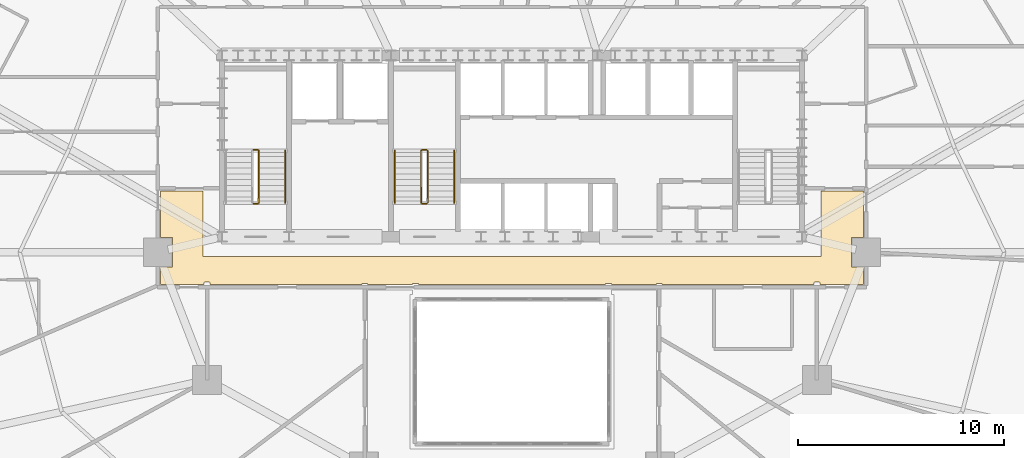
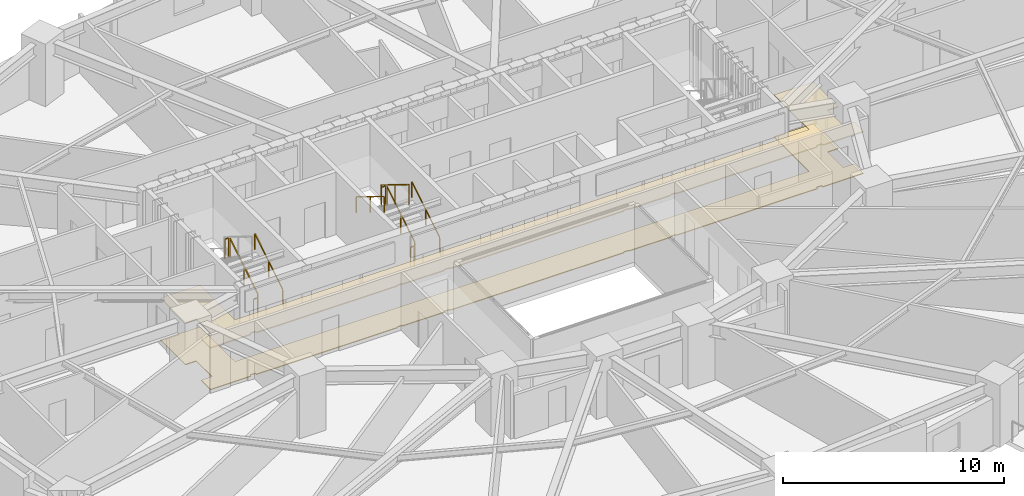
# One storey, part 16 of 18: 10 railings, 2 coverings.
"""IFC4 building model written with IfcOpenShell, lengths in metres."""

from ifc_helpers import new_model, si_unit, direction, frame, origin, origin_2d, place, context, subcontext, project, spatial, polyline, rectangle, outline, extrude, material, layer, layer_set, type_object, element, save


model = new_model("IFC4")

# Units and contexts
model_context = context("Model", 3, precision=1e-05, world=origin(), true_north=direction((0.0, 1.0)))
body_context = subcontext(model_context, "Body", "Model", "MODEL_VIEW")
ifc_project = project(units=[si_unit("LENGTHUNIT", "METRE"), si_unit("AREAUNIT", "SQUARE_METRE"), si_unit("VOLUMEUNIT", "CUBIC_METRE"), si_unit("PLANEANGLEUNIT", "RADIAN"), si_unit("MASSUNIT", "GRAM", prefix="KILO")], contexts=[model_context])

# Site, building, storey
site_placement = place(None, origin())
site = spatial("IfcSite", under=ifc_project, at=site_placement, CompositionType="ELEMENT")
building_placement = place(site_placement, origin())
building = spatial("IfcBuilding", under=site, at=building_placement, Name="Haldorwick Loom Tower", CompositionType="ELEMENT")
storey_placement = place(building_placement, frame((0.0, 0.0, 41.25)))
storey = spatial("IfcBuildingStorey", under=building, at=storey_placement, Name="L10", CompositionType="ELEMENT", Elevation=41.25)

# Coverings
ifc_material_1 = material(Name="Mineral Fibre Acoustic Ceiling Tile")
ifc_layer_1 = layer(ifc_material_1, 0.054931640625, Name="Mineral Fibre Acoustic Ceiling Tile")
ifc_layer_set_1 = layer_set([ifc_layer_1], Name="Mineral Fibre Acoustic Ceiling Tile")
covering_type_1 = type_object("IfcCoveringType", Name="ARC-COV-CEIL2", PredefinedType="CEILING", material=ifc_layer_set_1)
covering_1_placement = place(storey_placement, frame((0.0, 0.0, 2.302001953125)))
element("IfcCovering", 1, at=covering_1_placement, inside=storey, type_object=covering_type_1, Name="L10 Acoustic Suspended Ceiling 2", PredefinedType="CEILING", context=body_context, shape_type="SweptSolid", body=[
    extrude(outline(polyline([(51.0, 28.9599609375), (51.0, 25.800048828125), (21.0, 25.800048828125), (21.0, 28.9599609375), (18.93994140625, 28.9599609375), (18.93994140625, 26.7080078125), (19.508056640625, 26.7080078125), (19.508056640625, 25.2919921875), (18.93994140625, 25.2919921875), (18.93994140625, 24.43994140625), (21.06005859375, 24.43994140625), (21.06005859375, 24.52001953125), (21.06005859375, 24.52197265625), (21.060302734375, 24.52392578125), (21.060791015625, 24.52587890625), (21.0615234375, 24.527587890625), (21.0625, 24.529296875), (21.0634765625, 24.531005859375), (21.064453125, 24.53271484375), (21.06591796875, 24.5341796875), (21.0673828125, 24.535400390625), (21.06884765625, 24.53662109375), (21.070556640625, 24.53759765625), (21.072265625, 24.53857421875), (21.07421875, 24.5390625), (21.076171875, 24.53955078125), (21.077880859375, 24.539794921875), (21.080078125, 24.5400390625), (21.320068359375, 24.5400390625), (21.322021484375, 24.539794921875), (21.323974609375, 24.53955078125), (21.32568359375, 24.5390625), (21.32763671875, 24.53857421875), (21.329345703125, 24.53759765625), (21.3310546875, 24.53662109375), (21.332763671875, 24.535400390625), (21.333984375, 24.5341796875), (21.33544921875, 24.53271484375), (21.336669921875, 24.531005859375), (21.337646484375, 24.529296875), (21.33837890625, 24.527587890625), (21.339111328125, 24.52587890625), (21.339599609375, 24.52392578125), (21.33984375, 24.52197265625), (21.340087890625, 24.52001953125), (21.340087890625, 24.43994140625), (28.7099609375, 24.43994140625), (28.7099609375, 24.469970703125), (28.710205078125, 24.471923828125), (28.71044921875, 24.473876953125), (28.7109375, 24.475830078125), (28.71142578125, 24.477783203125), (28.71240234375, 24.4794921875), (28.71337890625, 24.481201171875), (28.714599609375, 24.482666015625), (28.7158203125, 24.484130859375), (28.71728515625, 24.485595703125), (28.718994140625, 24.486572265625), (28.720703125, 24.487548828125), (28.722412109375, 24.488525390625), (28.72412109375, 24.489013671875), (28.72607421875, 24.489501953125), (28.72802734375, 24.489990234375), (28.72998046875, 24.489990234375), (28.969970703125, 24.489990234375), (28.971923828125, 24.489990234375), (28.973876953125, 24.489501953125), (28.975830078125, 24.489013671875), (28.977783203125, 24.488525390625), (28.9794921875, 24.487548828125), (28.981201171875, 24.486572265625), (28.982666015625, 24.485595703125), (28.984130859375, 24.484130859375), (28.985595703125, 24.482666015625), (28.986572265625, 24.481201171875), (28.987548828125, 24.4794921875), (28.988525390625, 24.477783203125), (28.989013671875, 24.475830078125), (28.989501953125, 24.473876953125), (28.989990234375, 24.471923828125), (28.989990234375, 24.469970703125), (28.989990234375, 24.43994140625), (31.179931640625, 24.43994140625), (31.179931640625, 24.469970703125), (31.18017578125, 24.471923828125), (31.180419921875, 24.473876953125), (31.180908203125, 24.475830078125), (31.181396484375, 24.477783203125), (31.182373046875, 24.4794921875), (31.183349609375, 24.481201171875), (31.1845703125, 24.482666015625), (31.185791015625, 24.484130859375), (31.187255859375, 24.485595703125), (31.18896484375, 24.486572265625), (31.190673828125, 24.487548828125), (31.1923828125, 24.488525390625), (31.194091796875, 24.489013671875), (31.196044921875, 24.489501953125), (31.197998046875, 24.489990234375), (31.199951171875, 24.489990234375), (31.43994140625, 24.489990234375), (31.44189453125, 24.489990234375), (31.44384765625, 24.489501953125), (31.44580078125, 24.489013671875), (31.44775390625, 24.488525390625), (31.449462890625, 24.487548828125), (31.451171875, 24.486572265625), (31.45263671875, 24.485595703125), (31.4541015625, 24.484130859375), (31.45556640625, 24.482666015625), (31.45654296875, 24.481201171875), (31.45751953125, 24.4794921875), (31.45849609375, 24.477783203125), (31.458984375, 24.475830078125), (31.459716796875, 24.473876953125), (31.4599609375, 24.471923828125), (31.4599609375, 24.469970703125), (31.4599609375, 24.43994140625), (40.5400390625, 24.43994140625), (40.5400390625, 24.469970703125), (40.5400390625, 24.471923828125), (40.540283203125, 24.473876953125), (40.541015625, 24.475830078125), (40.54150390625, 24.477783203125), (40.54248046875, 24.4794921875), (40.54345703125, 24.481201171875), (40.54443359375, 24.482666015625), (40.5458984375, 24.484130859375), (40.54736328125, 24.485595703125), (40.548828125, 24.486572265625), (40.550537109375, 24.487548828125), (40.55224609375, 24.488525390625), (40.55419921875, 24.489013671875), (40.55615234375, 24.489501953125), (40.55810546875, 24.489990234375), (40.56005859375, 24.489990234375), (40.800048828125, 24.489990234375), (40.802001953125, 24.489990234375), (40.803955078125, 24.489501953125), (40.805908203125, 24.489013671875), (40.8076171875, 24.488525390625), (40.809326171875, 24.487548828125), (40.81103515625, 24.486572265625), (40.812744140625, 24.485595703125), (40.814208984375, 24.484130859375), (40.8154296875, 24.482666015625), (40.816650390625, 24.481201171875), (40.817626953125, 24.4794921875), (40.818603515625, 24.477783203125), (40.819091796875, 24.475830078125), (40.819580078125, 24.473876953125), (40.81982421875, 24.471923828125), (40.820068359375, 24.469970703125), (40.820068359375, 24.43994140625), (43.010009765625, 24.43994140625), (43.010009765625, 24.469970703125), (43.010009765625, 24.471923828125), (43.010498046875, 24.473876953125), (43.010986328125, 24.475830078125), (43.011474609375, 24.477783203125), (43.012451171875, 24.4794921875), (43.013427734375, 24.481201171875), (43.014404296875, 24.482666015625), (43.015869140625, 24.484130859375), (43.017333984375, 24.485595703125), (43.018798828125, 24.486572265625), (43.0205078125, 24.487548828125), (43.022216796875, 24.488525390625), (43.024169921875, 24.489013671875), (43.026123046875, 24.489501953125), (43.028076171875, 24.489990234375), (43.030029296875, 24.489990234375), (43.27001953125, 24.489990234375), (43.27197265625, 24.489990234375), (43.27392578125, 24.489501953125), (43.27587890625, 24.489013671875), (43.277587890625, 24.488525390625), (43.279296875, 24.487548828125), (43.281005859375, 24.486572265625), (43.28271484375, 24.485595703125), (43.2841796875, 24.484130859375), (43.285400390625, 24.482666015625), (43.28662109375, 24.481201171875), (43.28759765625, 24.4794921875), (43.28857421875, 24.477783203125), (43.2890625, 24.475830078125), (43.28955078125, 24.473876953125), (43.289794921875, 24.471923828125), (43.2900390625, 24.469970703125), (43.2900390625, 24.43994140625), (50.659912109375, 24.43994140625), (50.659912109375, 24.52001953125), (50.66015625, 24.52197265625), (50.660400390625, 24.52392578125), (50.660888671875, 24.52587890625), (50.66162109375, 24.527587890625), (50.662353515625, 24.529296875), (50.663330078125, 24.531005859375), (50.66455078125, 24.53271484375), (50.666015625, 24.5341796875), (50.667236328125, 24.535400390625), (50.6689453125, 24.53662109375), (50.670654296875, 24.53759765625), (50.67236328125, 24.53857421875), (50.67431640625, 24.5390625), (50.676025390625, 24.53955078125), (50.677978515625, 24.539794921875), (50.679931640625, 24.5400390625), (50.919921875, 24.5400390625), (50.922119140625, 24.539794921875), (50.923828125, 24.53955078125), (50.92578125, 24.5390625), (50.927734375, 24.53857421875), (50.929443359375, 24.53759765625), (50.93115234375, 24.53662109375), (50.9326171875, 24.535400390625), (50.93408203125, 24.5341796875), (50.935546875, 24.53271484375), (50.9365234375, 24.531005859375), (50.9375, 24.529296875), (50.9384765625, 24.527587890625), (50.939208984375, 24.52587890625), (50.939697265625, 24.52392578125), (50.93994140625, 24.52197265625), (50.93994140625, 24.52001953125), (50.93994140625, 24.43994140625), (53.06005859375, 24.43994140625), (53.06005859375, 25.2919921875), (52.491943359375, 25.2919921875), (52.491943359375, 26.7080078125), (53.06005859375, 26.7080078125), (53.06005859375, 28.9599609375), (51.0, 28.9599609375)])), origin(), (0.0, 0.0, 1.0), 0.054931640625),
])
ifc_material_2 = material(Name="Polished Aggregate Terrazzo Finish")
ifc_layer_2 = layer(ifc_material_2, 0.044921875, Name="Polished Aggregate Terrazzo Finish")
ifc_layer_set_2 = layer_set([ifc_layer_2], Name="Polished Aggregate Terrazzo Finish")
covering_type_2 = type_object("IfcCoveringType", Name="ARC-COV-FLOOR2", PredefinedType="FLOORING", material=ifc_layer_set_2)
covering_2_placement = place(storey_placement, origin())
element("IfcCovering", 2, at=covering_2_placement, inside=storey, type_object=covering_type_2, Name="L10 Floor Finish 2", PredefinedType="FLOORING", context=body_context, shape_type="SweptSolid", body=[
    extrude(outline(polyline([(51.0, 28.9599609375), (51.0, 25.800048828125), (21.0, 25.800048828125), (21.0, 28.9599609375), (18.93994140625, 28.9599609375), (18.93994140625, 26.7080078125), (19.508056640625, 26.7080078125), (19.508056640625, 25.2919921875), (18.93994140625, 25.2919921875), (18.93994140625, 24.43994140625), (21.06005859375, 24.43994140625), (21.06005859375, 24.52001953125), (21.06005859375, 24.52197265625), (21.060302734375, 24.52392578125), (21.060791015625, 24.52587890625), (21.0615234375, 24.527587890625), (21.0625, 24.529296875), (21.0634765625, 24.531005859375), (21.064453125, 24.53271484375), (21.06591796875, 24.5341796875), (21.0673828125, 24.535400390625), (21.06884765625, 24.53662109375), (21.070556640625, 24.53759765625), (21.072265625, 24.53857421875), (21.07421875, 24.5390625), (21.076171875, 24.53955078125), (21.077880859375, 24.539794921875), (21.080078125, 24.5400390625), (21.320068359375, 24.5400390625), (21.322021484375, 24.539794921875), (21.323974609375, 24.53955078125), (21.32568359375, 24.5390625), (21.32763671875, 24.53857421875), (21.329345703125, 24.53759765625), (21.3310546875, 24.53662109375), (21.332763671875, 24.535400390625), (21.333984375, 24.5341796875), (21.33544921875, 24.53271484375), (21.336669921875, 24.531005859375), (21.337646484375, 24.529296875), (21.33837890625, 24.527587890625), (21.339111328125, 24.52587890625), (21.339599609375, 24.52392578125), (21.33984375, 24.52197265625), (21.340087890625, 24.52001953125), (21.340087890625, 24.43994140625), (28.7099609375, 24.43994140625), (28.7099609375, 24.469970703125), (28.710205078125, 24.471923828125), (28.71044921875, 24.473876953125), (28.7109375, 24.475830078125), (28.71142578125, 24.477783203125), (28.71240234375, 24.4794921875), (28.71337890625, 24.481201171875), (28.714599609375, 24.482666015625), (28.7158203125, 24.484130859375), (28.71728515625, 24.485595703125), (28.718994140625, 24.486572265625), (28.720703125, 24.487548828125), (28.722412109375, 24.488525390625), (28.72412109375, 24.489013671875), (28.72607421875, 24.489501953125), (28.72802734375, 24.489990234375), (28.72998046875, 24.489990234375), (28.969970703125, 24.489990234375), (28.971923828125, 24.489990234375), (28.973876953125, 24.489501953125), (28.975830078125, 24.489013671875), (28.977783203125, 24.488525390625), (28.9794921875, 24.487548828125), (28.981201171875, 24.486572265625), (28.982666015625, 24.485595703125), (28.984130859375, 24.484130859375), (28.985595703125, 24.482666015625), (28.986572265625, 24.481201171875), (28.987548828125, 24.4794921875), (28.988525390625, 24.477783203125), (28.989013671875, 24.475830078125), (28.989501953125, 24.473876953125), (28.989990234375, 24.471923828125), (28.989990234375, 24.469970703125), (28.989990234375, 24.43994140625), (31.179931640625, 24.43994140625), (31.179931640625, 24.469970703125), (31.18017578125, 24.471923828125), (31.180419921875, 24.473876953125), (31.180908203125, 24.475830078125), (31.181396484375, 24.477783203125), (31.182373046875, 24.4794921875), (31.183349609375, 24.481201171875), (31.1845703125, 24.482666015625), (31.185791015625, 24.484130859375), (31.187255859375, 24.485595703125), (31.18896484375, 24.486572265625), (31.190673828125, 24.487548828125), (31.1923828125, 24.488525390625), (31.194091796875, 24.489013671875), (31.196044921875, 24.489501953125), (31.197998046875, 24.489990234375), (31.199951171875, 24.489990234375), (31.43994140625, 24.489990234375), (31.44189453125, 24.489990234375), (31.44384765625, 24.489501953125), (31.44580078125, 24.489013671875), (31.44775390625, 24.488525390625), (31.449462890625, 24.487548828125), (31.451171875, 24.486572265625), (31.45263671875, 24.485595703125), (31.4541015625, 24.484130859375), (31.45556640625, 24.482666015625), (31.45654296875, 24.481201171875), (31.45751953125, 24.4794921875), (31.45849609375, 24.477783203125), (31.458984375, 24.475830078125), (31.459716796875, 24.473876953125), (31.4599609375, 24.471923828125), (31.4599609375, 24.469970703125), (31.4599609375, 24.43994140625), (40.5400390625, 24.43994140625), (40.5400390625, 24.469970703125), (40.5400390625, 24.471923828125), (40.540283203125, 24.473876953125), (40.541015625, 24.475830078125), (40.54150390625, 24.477783203125), (40.54248046875, 24.4794921875), (40.54345703125, 24.481201171875), (40.54443359375, 24.482666015625), (40.5458984375, 24.484130859375), (40.54736328125, 24.485595703125), (40.548828125, 24.486572265625), (40.550537109375, 24.487548828125), (40.55224609375, 24.488525390625), (40.55419921875, 24.489013671875), (40.55615234375, 24.489501953125), (40.55810546875, 24.489990234375), (40.56005859375, 24.489990234375), (40.800048828125, 24.489990234375), (40.802001953125, 24.489990234375), (40.803955078125, 24.489501953125), (40.805908203125, 24.489013671875), (40.8076171875, 24.488525390625), (40.809326171875, 24.487548828125), (40.81103515625, 24.486572265625), (40.812744140625, 24.485595703125), (40.814208984375, 24.484130859375), (40.8154296875, 24.482666015625), (40.816650390625, 24.481201171875), (40.817626953125, 24.4794921875), (40.818603515625, 24.477783203125), (40.819091796875, 24.475830078125), (40.819580078125, 24.473876953125), (40.81982421875, 24.471923828125), (40.820068359375, 24.469970703125), (40.820068359375, 24.43994140625), (43.010009765625, 24.43994140625), (43.010009765625, 24.469970703125), (43.010009765625, 24.471923828125), (43.010498046875, 24.473876953125), (43.010986328125, 24.475830078125), (43.011474609375, 24.477783203125), (43.012451171875, 24.4794921875), (43.013427734375, 24.481201171875), (43.014404296875, 24.482666015625), (43.015869140625, 24.484130859375), (43.017333984375, 24.485595703125), (43.018798828125, 24.486572265625), (43.0205078125, 24.487548828125), (43.022216796875, 24.488525390625), (43.024169921875, 24.489013671875), (43.026123046875, 24.489501953125), (43.028076171875, 24.489990234375), (43.030029296875, 24.489990234375), (43.27001953125, 24.489990234375), (43.27197265625, 24.489990234375), (43.27392578125, 24.489501953125), (43.27587890625, 24.489013671875), (43.277587890625, 24.488525390625), (43.279296875, 24.487548828125), (43.281005859375, 24.486572265625), (43.28271484375, 24.485595703125), (43.2841796875, 24.484130859375), (43.285400390625, 24.482666015625), (43.28662109375, 24.481201171875), (43.28759765625, 24.4794921875), (43.28857421875, 24.477783203125), (43.2890625, 24.475830078125), (43.28955078125, 24.473876953125), (43.289794921875, 24.471923828125), (43.2900390625, 24.469970703125), (43.2900390625, 24.43994140625), (50.659912109375, 24.43994140625), (50.659912109375, 24.52001953125), (50.66015625, 24.52197265625), (50.660400390625, 24.52392578125), (50.660888671875, 24.52587890625), (50.66162109375, 24.527587890625), (50.662353515625, 24.529296875), (50.663330078125, 24.531005859375), (50.66455078125, 24.53271484375), (50.666015625, 24.5341796875), (50.667236328125, 24.535400390625), (50.6689453125, 24.53662109375), (50.670654296875, 24.53759765625), (50.67236328125, 24.53857421875), (50.67431640625, 24.5390625), (50.676025390625, 24.53955078125), (50.677978515625, 24.539794921875), (50.679931640625, 24.5400390625), (50.919921875, 24.5400390625), (50.922119140625, 24.539794921875), (50.923828125, 24.53955078125), (50.92578125, 24.5390625), (50.927734375, 24.53857421875), (50.929443359375, 24.53759765625), (50.93115234375, 24.53662109375), (50.9326171875, 24.535400390625), (50.93408203125, 24.5341796875), (50.935546875, 24.53271484375), (50.9365234375, 24.531005859375), (50.9375, 24.529296875), (50.9384765625, 24.527587890625), (50.939208984375, 24.52587890625), (50.939697265625, 24.52392578125), (50.93994140625, 24.52197265625), (50.93994140625, 24.52001953125), (50.93994140625, 24.43994140625), (53.06005859375, 24.43994140625), (53.06005859375, 25.2919921875), (52.491943359375, 25.2919921875), (52.491943359375, 26.7080078125), (53.06005859375, 26.7080078125), (53.06005859375, 28.9599609375), (51.0, 28.9599609375)])), origin(), (0.0, 0.0, 1.0), 0.044921875),
])

# Railings
ifc_material_3 = material(Name="Steel CSA G40.21 350W", Category="steel")
railing_type_1 = type_object("IfcRailingType", Name="ARC-RLG-GUARD112", PredefinedType="GUARDRAIL", material=ifc_material_3)
railing_1_placement = place(storey_placement, frame((23.699951171875, 28.39990234375, 0.172607421875)))
element("IfcRailing", 3, at=railing_1_placement, inside=storey, type_object=railing_type_1, Name="L10 ST-01 stair guard 1", PredefinedType="GUARDRAIL", context=body_context, shape_type="SweptSolid", body=[
    extrude(rectangle(XDim=0.048095703125, YDim=0.048095703125, at=origin_2d()), frame((0.0, 0.0, 1.076171875), z_axis=(0.0, 0.851400495292, 0.524516154772), x_axis=(-1.0, 0.0, 0.0)), (0.0, 0.0, 1.0), 2.9599609375),
    extrude(rectangle(XDim=0.0419921875, YDim=0.0419921875, at=origin_2d()), origin(), (0.0, 0.0, 1.0), 1.052001953125),
    extrude(rectangle(XDim=0.0419921875, YDim=0.0419921875, at=origin_2d()), frame((0.0, 1.260009765625, 0.7763671875)), (0.0, 0.0, 1.0), 1.052001953125),
    extrude(rectangle(XDim=0.0419921875, YDim=0.0419921875, at=origin_2d()), frame((0.0, 2.52001953125, 1.552490234375)), (0.0, 0.0, 1.0), 1.052001953125),
])
for number, where, name in (
    (4, (23.64990234375, 30.969970703125, 1.72509765625), "L10 ST-01 stair guard 2"),
    (5, (23.64990234375, 28.35009765625, 0.0), "L10 ST-01 stair guard 4"),
):
    element("IfcRailing", number, at=place(storey_placement, frame(where)), inside=storey, type_object=railing_type_1, Name=name, PredefinedType="GUARDRAIL", context=body_context, shape_type="SweptSolid", body=[
        extrude(rectangle(XDim=0.048095703125, YDim=0.048095703125, at=origin_2d()), frame((0.0, 0.0, 1.076171875), z_axis=(-1.0, 0.0, 0.0), x_axis=(0.0, -1.0, 0.0)), (0.0, 0.0, 1.0), 0.199951171875),
        extrude(rectangle(XDim=0.0419921875, YDim=0.0419921875, at=origin_2d()), origin(), (0.0, 0.0, 1.0), 1.052001953125),
        extrude(rectangle(XDim=0.0419921875, YDim=0.0419921875, at=origin_2d()), frame((-0.199951171875, 0.0, 0.0)), (0.0, 0.0, 1.0), 1.052001953125),
    ])
railing_2_placement = place(storey_placement, frame((31.89990234375, 28.39990234375, 0.172607421875)))
element("IfcRailing", 6, at=railing_2_placement, inside=storey, type_object=railing_type_1, Name="L10 ST-03 stair guard 1", PredefinedType="GUARDRAIL", context=body_context, shape_type="SweptSolid", body=[
    extrude(rectangle(XDim=0.048095703125, YDim=0.048095703125, at=origin_2d()), frame((0.0, 0.0, 1.076171875), z_axis=(0.0, 0.851400495292, 0.524516154772), x_axis=(-1.0, 0.0, 0.0)), (0.0, 0.0, 1.0), 2.9599609375),
    extrude(rectangle(XDim=0.0419921875, YDim=0.0419921875, at=origin_2d()), origin(), (0.0, 0.0, 1.0), 1.052001953125),
    extrude(rectangle(XDim=0.0419921875, YDim=0.0419921875, at=origin_2d()), frame((0.0, 1.260009765625, 0.7763671875)), (0.0, 0.0, 1.0), 1.052001953125),
    extrude(rectangle(XDim=0.0419921875, YDim=0.0419921875, at=origin_2d()), frame((0.0, 2.52001953125, 1.552490234375)), (0.0, 0.0, 1.0), 1.052001953125),
])
railing_3_placement = place(storey_placement, frame((31.85009765625, 30.969970703125, 1.72509765625)))
element("IfcRailing", 7, at=railing_3_placement, inside=storey, type_object=railing_type_1, Name="L10 ST-03 stair guard 2", PredefinedType="GUARDRAIL", context=body_context, shape_type="SweptSolid", body=[
    extrude(rectangle(XDim=0.048095703125, YDim=0.048095703125, at=origin_2d()), frame((0.0, 0.0, 1.076171875), z_axis=(-1.0, 0.0, 0.0), x_axis=(0.0, -1.0, 0.0)), (0.0, 0.0, 1.0), 0.2001953125),
    extrude(rectangle(XDim=0.0419921875, YDim=0.0419921875, at=origin_2d()), origin(), (0.0, 0.0, 1.0), 1.052001953125),
    extrude(rectangle(XDim=0.0419921875, YDim=0.0419921875, at=origin_2d()), frame((-0.2001953125, 0.0, 0.0)), (0.0, 0.0, 1.0), 1.052001953125),
])
railing_4_placement = place(storey_placement, frame((31.60009765625, 30.919921875, 1.8974609375)))
element("IfcRailing", 8, at=railing_4_placement, inside=storey, type_object=railing_type_1, Name="L10 ST-03 stair guard 3", PredefinedType="GUARDRAIL", context=body_context, shape_type="SweptSolid", body=[
    extrude(rectangle(XDim=0.048095703125, YDim=0.048095703125, at=origin_2d()), frame((0.0, 0.0, 1.076171875), z_axis=(0.0, -0.851400495292, 0.524516154772), x_axis=(1.0, 0.0, 0.0)), (0.0, 0.0, 1.0), 2.9599609375),
    extrude(rectangle(XDim=0.0419921875, YDim=0.0419921875, at=origin_2d()), origin(), (0.0, 0.0, 1.0), 1.052001953125),
    extrude(rectangle(XDim=0.0419921875, YDim=0.0419921875, at=origin_2d()), frame((0.0, -1.260009765625, 0.7763671875)), (0.0, 0.0, 1.0), 1.052001953125),
    extrude(rectangle(XDim=0.0419921875, YDim=0.0419921875, at=origin_2d()), frame((0.0, -2.52001953125, 1.552490234375)), (0.0, 0.0, 1.0), 1.052001953125),
])
railing_5_placement = place(storey_placement, frame((31.85009765625, 28.35009765625, 0.0)))
element("IfcRailing", 9, at=railing_5_placement, inside=storey, type_object=railing_type_1, Name="L10 ST-03 stair guard 4", PredefinedType="GUARDRAIL", context=body_context, shape_type="SweptSolid", body=[
    extrude(rectangle(XDim=0.048095703125, YDim=0.048095703125, at=origin_2d()), frame((0.0, 0.0, 1.076171875), z_axis=(-1.0, 0.0, 0.0), x_axis=(0.0, -1.0, 0.0)), (0.0, 0.0, 1.0), 0.2001953125),
    extrude(rectangle(XDim=0.0419921875, YDim=0.0419921875, at=origin_2d()), origin(), (0.0, 0.0, 1.0), 1.052001953125),
    extrude(rectangle(XDim=0.0419921875, YDim=0.0419921875, at=origin_2d()), frame((-0.2001953125, 0.0, 0.0)), (0.0, 0.0, 1.0), 1.052001953125),
])
railing_type_2 = type_object("IfcRailingType", Name="ARC-RLG-HAND092", PredefinedType="HANDRAIL", material=ifc_material_3)
for number, where, name in (
    (10, (25.0, 28.39990234375, 0.172607421875), "L10 ST-01 stair handrail 1"),
    (11, (33.199951171875, 28.39990234375, 0.172607421875), "L10 ST-03 stair handrail 1"),
):
    element("IfcRailing", number, at=place(storey_placement, frame(where)), inside=storey, type_object=railing_type_2, Name=name, PredefinedType="HANDRAIL", context=body_context, shape_type="SweptSolid", body=[
        extrude(rectangle(XDim=0.048095703125, YDim=0.048095703125, at=origin_2d()), frame((0.0, 0.0, 0.8759765625), z_axis=(0.0, 0.851400495292, 0.524516154772), x_axis=(-1.0, 0.0, 0.0)), (0.0, 0.0, 1.0), 2.9599609375),
        extrude(rectangle(XDim=0.0419921875, YDim=0.0419921875, at=origin_2d()), origin(), (0.0, 0.0, 1.0), 0.851806640625),
        extrude(rectangle(XDim=0.0419921875, YDim=0.0419921875, at=origin_2d()), frame((0.0, 1.260009765625, 0.7763671875)), (0.0, 0.0, 1.0), 0.851806640625),
        extrude(rectangle(XDim=0.0419921875, YDim=0.0419921875, at=origin_2d()), frame((0.0, 2.52001953125, 1.552490234375)), (0.0, 0.0, 1.0), 0.851806640625),
    ])
railing_6_placement = place(storey_placement, frame((30.300048828125, 30.919921875, 1.8974609375)))
element("IfcRailing", 12, at=railing_6_placement, inside=storey, type_object=railing_type_2, Name="L10 ST-03 stair handrail 2", PredefinedType="HANDRAIL", context=body_context, shape_type="SweptSolid", body=[
    extrude(rectangle(XDim=0.048095703125, YDim=0.048095703125, at=origin_2d()), frame((0.0, 0.0, 0.8759765625), z_axis=(0.0, -0.851400495292, 0.524516154772), x_axis=(1.0, 0.0, 0.0)), (0.0, 0.0, 1.0), 2.9599609375),
    extrude(rectangle(XDim=0.0419921875, YDim=0.0419921875, at=origin_2d()), origin(), (0.0, 0.0, 1.0), 0.851806640625),
    extrude(rectangle(XDim=0.0419921875, YDim=0.0419921875, at=origin_2d()), frame((0.0, -1.260009765625, 0.7763671875)), (0.0, 0.0, 1.0), 0.851806640625),
    extrude(rectangle(XDim=0.0419921875, YDim=0.0419921875, at=origin_2d()), frame((0.0, -2.52001953125, 1.552490234375)), (0.0, 0.0, 1.0), 0.851806640625),
])

save(model, "model.ifc")
